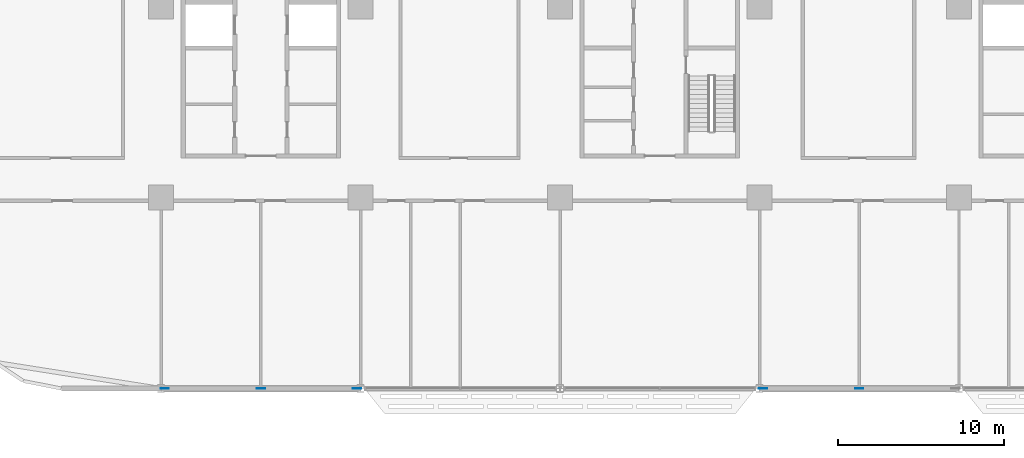
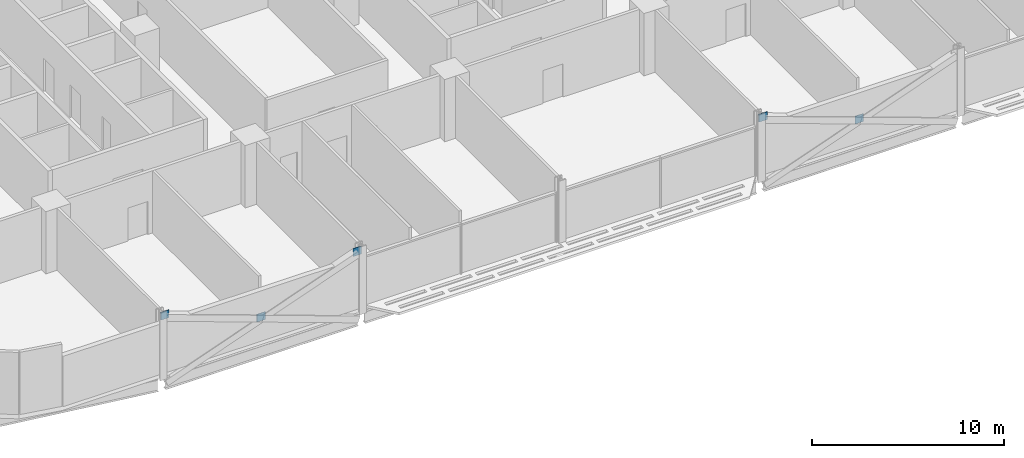
# One storey, part 20 of 30: 5 discrete accessories.
"""IFC4 building model written with IfcOpenShell, lengths in metres."""

from ifc_helpers import new_model, si_unit, direction, frame, origin, origin_2d, place, context, subcontext, project, spatial, rectangle, extrude, material, layer, layer_set, type_object, element, save


model = new_model("IFC4")

# Units and contexts
model_context = context("Model", 3, precision=1e-05, world=origin(), true_north=direction((0.0, 1.0)))
body_context = subcontext(model_context, "Body", "Model", "MODEL_VIEW")
ifc_project = project(units=[si_unit("LENGTHUNIT", "METRE"), si_unit("AREAUNIT", "SQUARE_METRE"), si_unit("VOLUMEUNIT", "CUBIC_METRE"), si_unit("PLANEANGLEUNIT", "RADIAN"), si_unit("MASSUNIT", "GRAM", prefix="KILO")], contexts=[model_context])

# Site, building, storey
site_placement = place(None, origin())
site = spatial("IfcSite", under=ifc_project, at=site_placement, CompositionType="ELEMENT")
building_placement = place(site_placement, origin())
building = spatial("IfcBuilding", under=site, at=building_placement, Name="Mahtab Terrace Research Tower", CompositionType="ELEMENT")
storey_placement = place(building_placement, frame((0.0, 0.0, 50.300048828125)))
storey = spatial("IfcBuildingStorey", under=building, at=storey_placement, Name="L11", CompositionType="ELEMENT", Elevation=50.300048828125)

# Discrete accessories
ifc_material = material(Name="Steel ASTM A992 Gr 50", Category="steel")
ifc_layer = layer(ifc_material, 0.030029296875)
ifc_layer_set = layer_set([ifc_layer], Name="Gusset plate 500x500x30")
discrete_accessory_type = type_object("IfcDiscreteAccessoryType", Name="Gusset plate 500x500x30", PredefinedType="USERDEFINED", material=ifc_layer_set)
for number, where, z_axis, x_axis, name in (
    (1, (-29.787841796875, -23.0, 3.33154296875), (0.0, 0.0, 1.0), (1.0, 0.0, 0.0), "Gusset plate"),
    (2, (-24.0, -23.0, 1.181396484375), (0.0, 0.0, 1.0), (1.0, 0.0, 0.0), "Gusset plate"),
    (3, (-18.212158203125, -23.0, 3.33154296875), (0.0, 0.0, 1.0), (1.0, 0.0, 0.0), "Gusset plate"),
    (4, (6.212158203125, -23.0, 3.33154296875), (0.0, 0.0, 1.0), (1.0, 0.0, 0.0), "Gusset plate"),
    (5, (12.0, -23.0, 1.181396484375), (0.0, 0.0, 1.0), (1.0, 0.0, 0.0), "Gusset plate"),
):
    element("IfcDiscreteAccessory", number, at=place(storey_placement, frame(where, z_axis=z_axis, x_axis=x_axis)), inside=storey, type_object=discrete_accessory_type, Name=name, ObjectType="GUSSET PLATE", PredefinedType="USERDEFINED", context=body_context, shape_type="SweptSolid", body=[
        extrude(rectangle(XDim=0.5, YDim=0.030029296875, at=origin_2d()), origin(), (0.0, 0.0, 1.0), 0.5),
    ])

save(model, "model.ifc")
